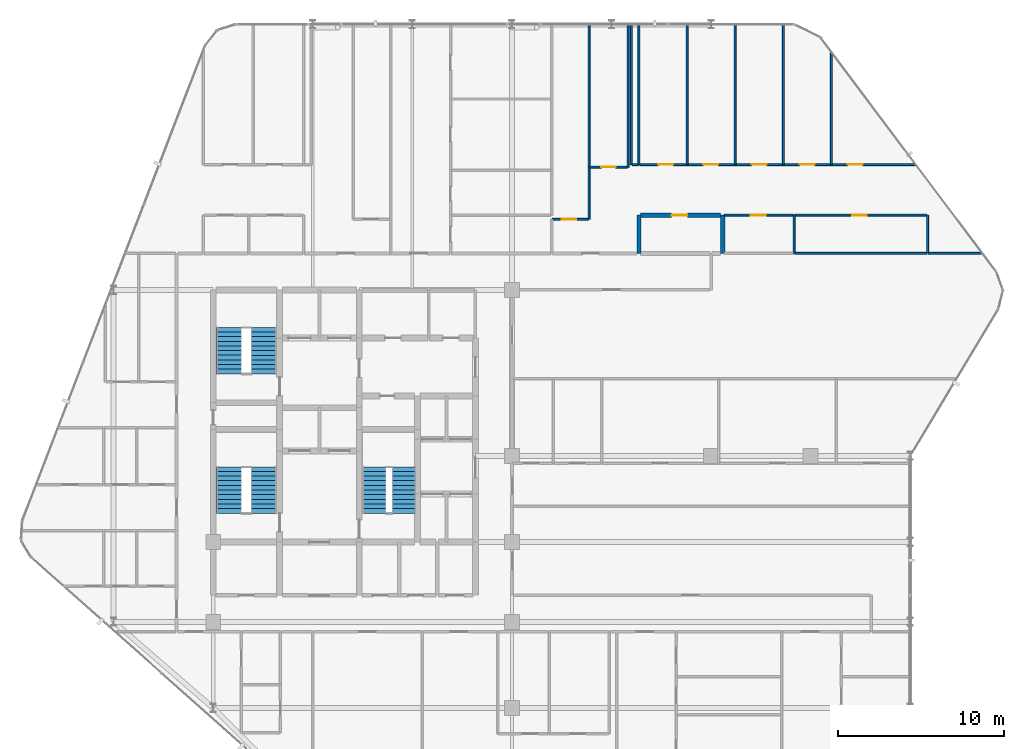
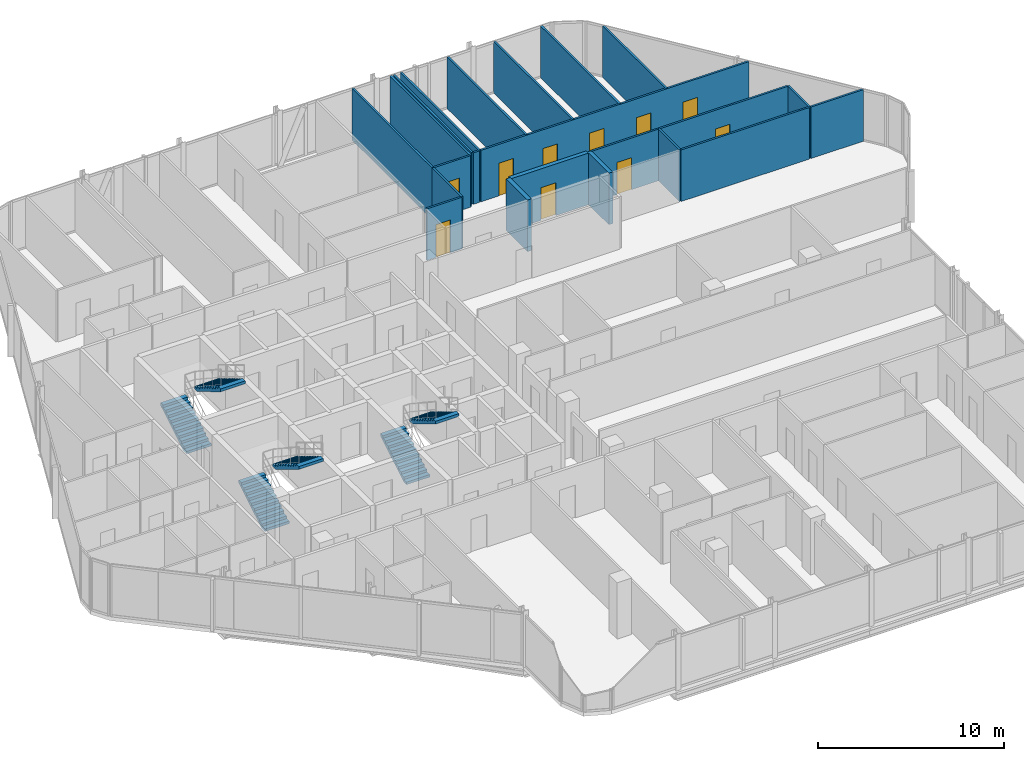
# One storey, part 30 of 31: 22 walls, 10 doors, 6 stair flights, 10 openings, 3 elements without a shape of their own.
"""IFC4 building model written with IfcOpenShell, lengths in metres."""

from ifc_helpers import new_model, si_unit, direction, frame, frame_2d, origin, place, context, subcontext, project, spatial, polyline, rectangle, outline, extrude, material, layer, layer_set, type_object, element, fill, aggregate, save


model = new_model("IFC4")

# Units and contexts
model_context = context("Model", 3, precision=1e-05, world=origin(), true_north=direction((0.0, 1.0)))
body_context = subcontext(model_context, "Body", "Model", "MODEL_VIEW")
ifc_project = project(units=[si_unit("LENGTHUNIT", "METRE"), si_unit("AREAUNIT", "SQUARE_METRE"), si_unit("VOLUMEUNIT", "CUBIC_METRE"), si_unit("PLANEANGLEUNIT", "RADIAN"), si_unit("MASSUNIT", "GRAM", prefix="KILO")], contexts=[model_context])

# Site, building, storey
site_placement = place(None, origin())
site = spatial("IfcSite", under=ifc_project, at=site_placement, CompositionType="ELEMENT")
building_placement = place(site_placement, origin())
building = spatial("IfcBuilding", under=site, at=building_placement, Name="Keshet Zoharim Tower", CompositionType="ELEMENT")
storey_placement = place(building_placement, frame((0.0, 0.0, 133.5)))
storey = spatial("IfcBuildingStorey", under=building, at=storey_placement, Name="L32", CompositionType="ELEMENT", Elevation=133.5)

# Walls
ifc_material_1 = material(Name="Concrete C50/60", Category="concrete")
ifc_layer_1 = layer(ifc_material_1, 0.25)
ifc_layer_set_1 = layer_set([ifc_layer_1], Name="Concrete C50/60")
wall_type_1 = type_object("IfcWallType", Name="WL-MAMAD-250", PredefinedType="STANDARD", material=ifc_layer_set_1)
for number, where, z_axis, x_axis, name in (
    (1, (40.64990234375, 40.10009765625, 0.0), (0.0, 0.0, 1.0), (0.0, 1.0, 0.0), "L32 Interior Wall 086"),
    (2, (45.699951171875, 40.10009765625, 0.0), (0.0, 0.0, 1.0), (0.0, 1.0, 0.0), "L32 Interior Wall 094"),
):
    element("IfcWall", number, at=place(storey_placement, frame(where, z_axis=z_axis, x_axis=x_axis)), inside=storey, type_object=wall_type_1, Name=name, PredefinedType="STANDARD", context=body_context, shape_type="SweptSolid", body=[
        extrude(rectangle(XDim=2.2998046875, YDim=0.25, at=frame_2d((1.14990234375, 0.0))), origin(), (0.0, 0.0, 1.0), 3.385009765625),
    ])

# Wall, opening, door
wall_1_placement = place(storey_placement, frame((40.75, 42.39990234375, 0.0), z_axis=(0.0, 0.0, 1.0), x_axis=(1.0, 0.0, 0.0)))
wall_1 = element("IfcWall", 3, at=wall_1_placement, inside=storey, type_object=wall_type_1, Name="L32 Interior Wall 201", PredefinedType="STANDARD", context=body_context, shape_type="SweptSolid", body=[
    extrude(rectangle(XDim=4.824951171875, YDim=0.25, at=frame_2d((2.41259765625, 0.0))), origin(), (0.0, 0.0, 1.0), 3.385009765625),
])
opening_1_placement = place(wall_1_placement, frame((1.865966796875, 0.0, 0.0)))
opening_1 = element("IfcOpeningElement", 4, at=opening_1_placement, cuts=wall_1, Name="Opening D-F695", PredefinedType="OPENING", context=body_context, shape_type="SweptSolid", body=[
    extrude(rectangle(XDim=0.949951171875, YDim=2.14990234375, at=frame_2d((0.47509765625, 1.074951171875))), frame((0.0, 0.135009765625, 0.0), z_axis=(0.0, -1.0, 0.0), x_axis=(1.0, 0.0, 0.0)), (0.0, 0.0, 1.0), 0.27001953125),
])
ifc_material_2 = material(Name="Hardwood Timber", Category="wood")
door_type_1 = type_object("IfcDoorType", Name="DR-FD60-095", OperationType="NOTDEFINED", PredefinedType="DOOR", material=ifc_material_2)
door_1_placement = place(opening_1_placement, origin())
door_1 = element("IfcDoor", 5, at=door_1_placement, inside=storey, type_object=door_type_1, Name="Apartment 3207 Study and Shelter Room Door", OperationType="SINGLE_SWING_LEFT", OverallHeight=2.14990234375, OverallWidth=0.949951171875, PredefinedType="DOOR", context=body_context, shape_type="SweptSolid", body=[
    extrude(rectangle(XDim=0.949951171875, YDim=2.14990234375, at=frame_2d((0.47509765625, 1.074951171875))), frame((0.0, 0.02490234375, 0.0), z_axis=(0.0, -1.0, 0.0), x_axis=(1.0, 0.0, 0.0)), (0.0, 0.0, 1.0), 0.050048828125),
])
fill(opening_1, door_1)

# Walls
ifc_material_3 = material(Name="Gypsum Plasterboard", Category="gypsum")
ifc_layer_2 = layer(ifc_material_3, 0.1201171875)
ifc_layer_set_2 = layer_set([ifc_layer_2], Name="Gypsum Plasterboard")
wall_type_2 = type_object("IfcWallType", Name="WL-PART-120", PredefinedType="PARTITIONING", material=ifc_layer_set_2)
wall_2_placement = place(storey_placement, frame((37.64990234375, 42.14990234375, 0.0), z_axis=(0.0, 0.0, 1.0), x_axis=(0.0, 1.0, 0.0)))
element("IfcWall", 6, at=wall_2_placement, inside=storey, type_object=wall_type_2, Name="L32 Interior Wall 078", PredefinedType="PARTITIONING", context=body_context, shape_type="SweptSolid", body=[
    extrude(rectangle(XDim=3.150146484375, YDim=0.1201171875, at=frame_2d((1.5751953125, 0.0))), origin(), (0.0, 0.0, 1.0), 3.385009765625),
])
for number, where, z_axis, x_axis, name in (
    (7, (37.64990234375, 45.300048828125, 0.0), (0.0, 0.0, 1.0), (0.0, 1.0, 0.0), "L32 Interior Wall 079"),
    (8, (40.0, 45.300048828125, 0.0), (0.0, 0.0, 1.0), (0.0, 1.0, 0.0), "L32 Interior Wall 084"),
):
    element("IfcWall", number, at=place(storey_placement, frame(where, z_axis=z_axis, x_axis=x_axis)), inside=storey, type_object=wall_type_2, Name=name, PredefinedType="PARTITIONING", context=body_context, shape_type="SweptSolid", body=[
        extrude(rectangle(XDim=8.58984375, YDim=0.1201171875, at=frame_2d((4.294921875, 0.0))), origin(), (0.0, 0.0, 1.0), 3.385009765625),
    ])
for number, where, z_axis, x_axis, name in (
    (9, (40.199951171875, 45.449951171875, 0.0), (0.0, 0.0, 1.0), (0.0, 1.0, 0.0), "L32 Interior Wall 085"),
    (10, (40.64990234375, 45.449951171875, 0.0), (0.0, 0.0, 1.0), (0.0, 1.0, 0.0), "L32 Interior Wall 087"),
    (11, (43.550048828125, 45.449951171875, 0.0), (0.0, 0.0, 1.0), (0.0, 1.0, 0.0), "L32 Interior Wall 091"),
    (12, (46.449951171875, 45.449951171875, 0.0), (0.0, 0.0, 1.0), (0.0, 1.0, 0.0), "L32 Interior Wall 095"),
    (13, (49.35009765625, 45.449951171875, 0.0), (0.0, 0.0, 1.0), (0.0, 1.0, 0.0), "L32 Interior Wall 099"),
):
    element("IfcWall", number, at=place(storey_placement, frame(where, z_axis=z_axis, x_axis=x_axis)), inside=storey, type_object=wall_type_2, Name=name, PredefinedType="PARTITIONING", context=body_context, shape_type="SweptSolid", body=[
        extrude(rectangle(XDim=8.43994140625, YDim=0.1201171875, at=frame_2d((4.219970703125, 0.0))), origin(), (0.0, 0.0, 1.0), 3.385009765625),
    ])
wall_3_placement = place(storey_placement, frame((52.25, 45.449951171875, 0.0), z_axis=(0.0, 0.0, 1.0), x_axis=(0.0, 1.0, 0.0)))
element("IfcWall", 14, at=wall_3_placement, inside=storey, type_object=wall_type_2, Name="L32 Interior Wall 101", PredefinedType="PARTITIONING", context=body_context, shape_type="SweptSolid", body=[
    extrude(rectangle(XDim=6.77294921875, YDim=0.1201171875, at=frame_2d((3.386474609375, 0.0))), origin(), (0.0, 0.0, 1.0), 3.385009765625),
])
wall_4_placement = place(storey_placement, frame((58.050048828125, 40.10009765625, 0.0), z_axis=(0.0, 0.0, 1.0), x_axis=(0.0, 1.0, 0.0)))
element("IfcWall", 15, at=wall_4_placement, inside=storey, type_object=wall_type_2, Name="L32 Interior Wall 107", PredefinedType="PARTITIONING", context=body_context, shape_type="SweptSolid", body=[
    extrude(rectangle(XDim=2.2998046875, YDim=0.1201171875, at=frame_2d((1.14990234375, 0.0))), origin(), (0.0, 0.0, 1.0), 3.385009765625),
])
wall_5_placement = place(storey_placement, frame((50.030029296875, 40.10009765625, 0.0), z_axis=(0.0, 0.0, 1.0), x_axis=(1.0, 0.0, 0.0)))
element("IfcWall", 16, at=wall_5_placement, inside=storey, type_object=wall_type_2, Name="L32 Interior Wall 194", PredefinedType="PARTITIONING", context=body_context, shape_type="SweptSolid", body=[
    extrude(rectangle(XDim=7.962890625, YDim=0.1201171875, at=frame_2d((3.9814453125, 0.0))), origin(), (0.0, 0.0, 1.0), 3.385009765625),
])
wall_6_placement = place(storey_placement, frame((58.0830078125, 40.10009765625, 0.0), z_axis=(0.0, 0.0, 1.0), x_axis=(1.0, 0.0, 0.0)))
element("IfcWall", 17, at=wall_6_placement, inside=storey, type_object=wall_type_2, Name="L32 Interior Wall 195", PredefinedType="PARTITIONING", context=body_context, shape_type="SweptSolid", body=[
    extrude(rectangle(XDim=3.257080078125, YDim=0.1201171875, at=frame_2d((1.62841796875, 0.0))), origin(), (0.0, 0.0, 1.0), 3.385009765625),
])

# Wall, opening, door
wall_7_placement = place(storey_placement, frame((35.43505859375, 42.14990234375, 0.0), z_axis=(0.0, 0.0, 1.0), x_axis=(1.0, 0.0, 0.0)))
wall_7 = element("IfcWall", 18, at=wall_7_placement, inside=storey, type_object=wall_type_2, Name="L32 Interior Wall 197", PredefinedType="PARTITIONING", context=body_context, shape_type="SweptSolid", body=[
    extrude(rectangle(XDim=2.159912109375, YDim=0.1201171875, at=frame_2d((1.080078125, 0.0))), origin(), (0.0, 0.0, 1.0), 3.385009765625),
])
opening_2_placement = place(wall_7_placement, frame((0.552978515625, 0.0, 0.0)))
opening_2 = element("IfcOpeningElement", 19, at=opening_2_placement, cuts=wall_7, Name="Opening D-IN90", PredefinedType="OPENING", context=body_context, shape_type="SweptSolid", body=[
    extrude(rectangle(XDim=0.89990234375, YDim=2.14990234375, at=frame_2d((0.449951171875, 1.074951171875))), frame((0.0, 0.070068359375, 0.0), z_axis=(0.0, -1.0, 0.0), x_axis=(1.0, 0.0, 0.0)), (0.0, 0.0, 1.0), 0.14013671875),
])
door_type_2 = type_object("IfcDoorType", Name="DR-INT-090", OperationType="NOTDEFINED", PredefinedType="DOOR", material=ifc_material_2)
door_2_placement = place(opening_2_placement, origin())
door_2 = element("IfcDoor", 20, at=door_2_placement, inside=storey, type_object=door_type_2, Name="Apartment 3207 Formal Dining Room Door", OperationType="SINGLE_SWING_RIGHT", OverallHeight=2.14990234375, OverallWidth=0.89990234375, PredefinedType="DOOR", context=body_context, shape_type="SweptSolid", body=[
    extrude(rectangle(XDim=0.89990234375, YDim=2.14990234375, at=frame_2d((0.449951171875, 1.074951171875))), frame((0.0, 0.02490234375, 0.0), z_axis=(0.0, -1.0, 0.0), x_axis=(1.0, 0.0, 0.0)), (0.0, 0.0, 1.0), 0.050048828125),
])
fill(opening_2, door_2)

wall_8_placement = place(storey_placement, frame((50.030029296875, 42.39990234375, 0.0), z_axis=(0.0, 0.0, 1.0), x_axis=(1.0, 0.0, 0.0)))
wall_8 = element("IfcWall", 21, at=wall_8_placement, inside=storey, type_object=wall_type_2, Name="L32 Interior Wall 203", PredefinedType="PARTITIONING", context=body_context, shape_type="SweptSolid", body=[
    extrude(rectangle(XDim=7.962890625, YDim=0.1201171875, at=frame_2d((3.9814453125, 0.0))), origin(), (0.0, 0.0, 1.0), 3.385009765625),
])
opening_3_placement = place(wall_8_placement, frame((3.4609375, 0.0, 0.0)))
opening_3 = element("IfcOpeningElement", 22, at=opening_3_placement, cuts=wall_8, Name="Opening D-IN90", PredefinedType="OPENING", context=body_context, shape_type="SweptSolid", body=[
    extrude(rectangle(XDim=0.89990234375, YDim=2.14990234375, at=frame_2d((0.449951171875, 1.074951171875))), frame((0.0, 0.070068359375, 0.0), z_axis=(0.0, -1.0, 0.0), x_axis=(1.0, 0.0, 0.0)), (0.0, 0.0, 1.0), 0.14013671875),
])
door_3_placement = place(opening_3_placement, origin())
door_3 = element("IfcDoor", 23, at=door_3_placement, inside=storey, type_object=door_type_2, Name="Apartment 3207 Kitchen Door", OperationType="SINGLE_SWING_LEFT", OverallHeight=2.14990234375, OverallWidth=0.89990234375, PredefinedType="DOOR", context=body_context, shape_type="SweptSolid", body=[
    extrude(rectangle(XDim=0.89990234375, YDim=2.14990234375, at=frame_2d((0.449951171875, 1.074951171875))), frame((0.0, 0.02490234375, 0.0), z_axis=(0.0, -1.0, 0.0), x_axis=(1.0, 0.0, 0.0)), (0.0, 0.0, 1.0), 0.050048828125),
])
fill(opening_3, door_3)

wall_9_placement = place(storey_placement, frame((37.68505859375, 45.300048828125, 0.0), z_axis=(0.0, 0.0, 1.0), x_axis=(1.0, 0.0, 0.0)))
wall_9 = element("IfcWall", 24, at=wall_9_placement, inside=storey, type_object=wall_type_2, Name="L32 Interior Wall 205", PredefinedType="PARTITIONING", context=body_context, shape_type="SweptSolid", body=[
    extrude(rectangle(XDim=2.260009765625, YDim=0.1201171875, at=frame_2d((1.1298828125, 0.0))), origin(), (0.0, 0.0, 1.0), 3.385009765625),
])
opening_4_placement = place(wall_9_placement, frame((0.679931640625, 0.0, 0.0)))
opening_4 = element("IfcOpeningElement", 25, at=opening_4_placement, cuts=wall_9, Name="Opening D-IN90", PredefinedType="OPENING", context=body_context, shape_type="SweptSolid", body=[
    extrude(rectangle(XDim=0.89990234375, YDim=2.14990234375, at=frame_2d((0.449951171875, 1.074951171875))), frame((0.0, 0.070068359375, 0.0), z_axis=(0.0, -1.0, 0.0), x_axis=(1.0, 0.0, 0.0)), (0.0, 0.0, 1.0), 0.14013671875),
])
door_4_placement = place(opening_4_placement, origin())
door_4 = element("IfcDoor", 26, at=door_4_placement, inside=storey, type_object=door_type_2, Name="Apartment 3207 Home Study Room Door", OperationType="SINGLE_SWING_RIGHT", OverallHeight=2.14990234375, OverallWidth=0.89990234375, PredefinedType="DOOR", context=body_context, shape_type="SweptSolid", body=[
    extrude(rectangle(XDim=0.89990234375, YDim=2.14990234375, at=frame_2d((0.449951171875, 1.074951171875))), frame((0.0, 0.02490234375, 0.0), z_axis=(0.0, -1.0, 0.0), x_axis=(1.0, 0.0, 0.0)), (0.0, 0.0, 1.0), 0.050048828125),
])
fill(opening_4, door_4)

# Wall
wall_10_placement = place(storey_placement, frame((40.235107421875, 45.449951171875, 0.0), z_axis=(0.0, 0.0, 1.0), x_axis=(1.0, 0.0, 0.0)))
element("IfcWall", 27, at=wall_10_placement, inside=storey, type_object=wall_type_2, Name="L32 Interior Wall 208", PredefinedType="PARTITIONING", context=body_context, shape_type="SweptSolid", body=[
    extrude(rectangle(XDim=0.35986328125, YDim=0.1201171875, at=frame_2d((0.179931640625, 0.0))), origin(), (0.0, 0.0, 1.0), 3.385009765625),
])

# Wall, openings, doors
wall_11_placement = place(storey_placement, frame((40.68505859375, 45.449951171875, 0.0), z_axis=(0.0, 0.0, 1.0), x_axis=(1.0, 0.0, 0.0)))
wall_11 = element("IfcWall", 28, at=wall_11_placement, inside=storey, type_object=wall_type_2, Name="L32 Interior Wall 209", PredefinedType="PARTITIONING", context=body_context, shape_type="SweptSolid", body=[
    extrude(rectangle(XDim=16.642822265625, YDim=0.1201171875, at=frame_2d((8.3212890625, 0.0))), origin(), (0.0, 0.0, 1.0), 3.385009765625),
])
opening_5_placement = place(wall_11_placement, frame((1.1298828125, 0.0, 0.0)))
opening_5 = element("IfcOpeningElement", 29, at=opening_5_placement, cuts=wall_11, Name="Opening D-IN90", PredefinedType="OPENING", context=body_context, shape_type="SweptSolid", body=[
    extrude(rectangle(XDim=0.89990234375, YDim=2.14990234375, at=frame_2d((0.449951171875, 1.074951171875))), frame((0.0, 0.070068359375, 0.0), z_axis=(0.0, -1.0, 0.0), x_axis=(1.0, 0.0, 0.0)), (0.0, 0.0, 1.0), 0.14013671875),
])
opening_6_placement = place(wall_11_placement, frame((3.85400390625, 0.0, 0.0)))
opening_6 = element("IfcOpeningElement", 30, at=opening_6_placement, cuts=wall_11, Name="Opening D-IN90", PredefinedType="OPENING", context=body_context, shape_type="SweptSolid", body=[
    extrude(rectangle(XDim=0.89990234375, YDim=2.14990234375, at=frame_2d((0.449951171875, 1.074951171875))), frame((0.0, 0.070068359375, 0.0), z_axis=(0.0, -1.0, 0.0), x_axis=(1.0, 0.0, 0.0)), (0.0, 0.0, 1.0), 0.14013671875),
])
opening_7_placement = place(wall_11_placement, frame((6.75390625, 0.0, 0.0)))
opening_7 = element("IfcOpeningElement", 31, at=opening_7_placement, cuts=wall_11, Name="Opening D-IN90", PredefinedType="OPENING", context=body_context, shape_type="SweptSolid", body=[
    extrude(rectangle(XDim=0.89990234375, YDim=2.14990234375, at=frame_2d((0.449951171875, 1.074951171875))), frame((0.0, 0.070068359375, 0.0), z_axis=(0.0, -1.0, 0.0), x_axis=(1.0, 0.0, 0.0)), (0.0, 0.0, 1.0), 0.14013671875),
])
opening_8_placement = place(wall_11_placement, frame((9.654052734375, 0.0, 0.0)))
opening_8 = element("IfcOpeningElement", 32, at=opening_8_placement, cuts=wall_11, Name="Opening D-IN90", PredefinedType="OPENING", context=body_context, shape_type="SweptSolid", body=[
    extrude(rectangle(XDim=0.89990234375, YDim=2.14990234375, at=frame_2d((0.449951171875, 1.074951171875))), frame((0.0, 0.070068359375, 0.0), z_axis=(0.0, -1.0, 0.0), x_axis=(1.0, 0.0, 0.0)), (0.0, 0.0, 1.0), 0.14013671875),
])
opening_9_placement = place(wall_11_placement, frame((12.552978515625, 0.0, 0.0)))
opening_9 = element("IfcOpeningElement", 33, at=opening_9_placement, cuts=wall_11, Name="Opening D-IN90", PredefinedType="OPENING", context=body_context, shape_type="SweptSolid", body=[
    extrude(rectangle(XDim=0.89990234375, YDim=2.14990234375, at=frame_2d((0.449951171875, 1.074951171875))), frame((0.0, 0.070068359375, 0.0), z_axis=(0.0, -1.0, 0.0), x_axis=(1.0, 0.0, 0.0)), (0.0, 0.0, 1.0), 0.14013671875),
])
door_5_placement = place(opening_5_placement, origin())
door_5 = element("IfcDoor", 34, at=door_5_placement, inside=storey, type_object=door_type_2, Name="Apartment 3207 Bedroom 1 Door", OperationType="SINGLE_SWING_LEFT", OverallHeight=2.14990234375, OverallWidth=0.89990234375, PredefinedType="DOOR", context=body_context, shape_type="SweptSolid", body=[
    extrude(rectangle(XDim=0.89990234375, YDim=2.14990234375, at=frame_2d((0.449951171875, 1.074951171875))), frame((0.0, 0.02490234375, 0.0), z_axis=(0.0, -1.0, 0.0), x_axis=(1.0, 0.0, 0.0)), (0.0, 0.0, 1.0), 0.050048828125),
])
fill(opening_5, door_5)
door_6_placement = place(opening_6_placement, origin())
door_6 = element("IfcDoor", 35, at=door_6_placement, inside=storey, type_object=door_type_2, Name="Apartment 3207 Bedroom 2 Door", OperationType="SINGLE_SWING_RIGHT", OverallHeight=2.14990234375, OverallWidth=0.89990234375, PredefinedType="DOOR", context=body_context, shape_type="SweptSolid", body=[
    extrude(rectangle(XDim=0.89990234375, YDim=2.14990234375, at=frame_2d((0.449951171875, 1.074951171875))), frame((0.0, 0.02490234375, 0.0), z_axis=(0.0, -1.0, 0.0), x_axis=(1.0, 0.0, 0.0)), (0.0, 0.0, 1.0), 0.050048828125),
])
fill(opening_6, door_6)
door_7_placement = place(opening_7_placement, origin())
door_7 = element("IfcDoor", 36, at=door_7_placement, inside=storey, type_object=door_type_2, Name="Apartment 3207 Bedroom 3 Door", OperationType="SINGLE_SWING_LEFT", OverallHeight=2.14990234375, OverallWidth=0.89990234375, PredefinedType="DOOR", context=body_context, shape_type="SweptSolid", body=[
    extrude(rectangle(XDim=0.89990234375, YDim=2.14990234375, at=frame_2d((0.449951171875, 1.074951171875))), frame((0.0, 0.02490234375, 0.0), z_axis=(0.0, -1.0, 0.0), x_axis=(1.0, 0.0, 0.0)), (0.0, 0.0, 1.0), 0.050048828125),
])
fill(opening_7, door_7)
door_8_placement = place(opening_8_placement, origin())
door_8 = element("IfcDoor", 37, at=door_8_placement, inside=storey, type_object=door_type_2, Name="Apartment 3207 Bedroom 4 Door", OperationType="SINGLE_SWING_RIGHT", OverallHeight=2.14990234375, OverallWidth=0.89990234375, PredefinedType="DOOR", context=body_context, shape_type="SweptSolid", body=[
    extrude(rectangle(XDim=0.89990234375, YDim=2.14990234375, at=frame_2d((0.449951171875, 1.074951171875))), frame((0.0, 0.02490234375, 0.0), z_axis=(0.0, -1.0, 0.0), x_axis=(1.0, 0.0, 0.0)), (0.0, 0.0, 1.0), 0.050048828125),
])
fill(opening_8, door_8)
door_9_placement = place(opening_9_placement, origin())
door_9 = element("IfcDoor", 38, at=door_9_placement, inside=storey, type_object=door_type_2, Name="Apartment 3207 Bedroom 5 Door", OperationType="SINGLE_SWING_LEFT", OverallHeight=2.14990234375, OverallWidth=0.89990234375, PredefinedType="DOOR", context=body_context, shape_type="SweptSolid", body=[
    extrude(rectangle(XDim=0.89990234375, YDim=2.14990234375, at=frame_2d((0.449951171875, 1.074951171875))), frame((0.0, 0.02490234375, 0.0), z_axis=(0.0, -1.0, 0.0), x_axis=(1.0, 0.0, 0.0)), (0.0, 0.0, 1.0), 0.050048828125),
])
fill(opening_9, door_9)

# Wall
ifc_layer_3 = layer(ifc_material_3, 0.1201171875)
ifc_layer_set_3 = layer_set([ifc_layer_3], Name="Gypsum Plasterboard")
wall_type_3 = type_object("IfcWallType", Name="WL-WET-120", PredefinedType="PARTITIONING", material=ifc_layer_set_3)
wall_12_placement = place(storey_placement, frame((50.0, 40.10009765625, 0.0), z_axis=(0.0, 0.0, 1.0), x_axis=(0.0, 1.0, 0.0)))
element("IfcWall", 39, at=wall_12_placement, inside=storey, type_object=wall_type_3, Name="L32 Interior Wall 100", PredefinedType="PARTITIONING", context=body_context, shape_type="SweptSolid", body=[
    extrude(rectangle(XDim=2.2998046875, YDim=0.1201171875, at=frame_2d((1.14990234375, 0.0))), origin(), (0.0, 0.0, 1.0), 3.385009765625),
])

# Wall, opening, door
wall_13_placement = place(storey_placement, frame((45.794921875, 42.39990234375, 0.0), z_axis=(0.0, 0.0, 1.0), x_axis=(1.0, 0.0, 0.0)))
wall_13 = element("IfcWall", 40, at=wall_13_placement, inside=storey, type_object=wall_type_3, Name="L32 Interior Wall 202", PredefinedType="PARTITIONING", context=body_context, shape_type="SweptSolid", body=[
    extrude(rectangle(XDim=4.14501953125, YDim=0.1201171875, at=frame_2d((2.072509765625, 0.0))), origin(), (0.0, 0.0, 1.0), 3.385009765625),
])
opening_10_placement = place(wall_13_placement, frame((1.590087890625, 0.0, 0.0)))
opening_10 = element("IfcOpeningElement", 41, at=opening_10_placement, cuts=wall_13, Name="Opening D-WT90", PredefinedType="OPENING", context=body_context, shape_type="SweptSolid", body=[
    extrude(rectangle(XDim=0.89990234375, YDim=2.10009765625, at=frame_2d((0.449951171875, 1.050048828125))), frame((0.0, 0.070068359375, 0.0), z_axis=(0.0, -1.0, 0.0), x_axis=(1.0, 0.0, 0.0)), (0.0, 0.0, 1.0), 0.14013671875),
])
door_type_3 = type_object("IfcDoorType", Name="DR-WET-090", OperationType="NOTDEFINED", PredefinedType="DOOR", material=ifc_material_2)
door_10_placement = place(opening_10_placement, origin())
door_10 = element("IfcDoor", 42, at=door_10_placement, inside=storey, type_object=door_type_3, Name="Apartment 3207 Bathroom Door", OperationType="SINGLE_SWING_RIGHT", OverallHeight=2.10009765625, OverallWidth=0.89990234375, PredefinedType="DOOR", context=body_context, shape_type="SweptSolid", body=[
    extrude(rectangle(XDim=0.89990234375, YDim=2.10009765625, at=frame_2d((0.449951171875, 1.050048828125))), frame((0.0, 0.02490234375, 0.0), z_axis=(0.0, -1.0, 0.0), x_axis=(1.0, 0.0, 0.0)), (0.0, 0.0, 1.0), 0.050048828125),
])
fill(opening_10, door_10)

# Stair, stair flights
stair_type = type_object("IfcStairType", Name="STR-EXIT-135", PredefinedType="HALF_TURN_STAIR", material=ifc_material_1)
stair_1_placement = place(storey_placement, origin())
stair_1 = element("IfcStair", 43, at=stair_1_placement, inside=storey, type_object=stair_type, Name="L32 Enclosed Exit Stair ST-01", PredefinedType="HALF_TURN_STAIR")
stair_flight_type_1 = type_object("IfcStairFlightType", Name="FLT-PRE-135", PredefinedType="STRAIGHT", material=ifc_material_1)
stair_flight_1_placement = place(storey_placement, frame((15.945068359375, 24.43994140625, 0.0), z_axis=(0.0, 0.0, 1.0), x_axis=(0.0, 1.0, 0.0)))
stair_flight_1 = element("IfcStairFlight", 44, at=stair_flight_1_placement, type_object=stair_flight_type_1, Name="ST-01 flight 1", NumberOfRisers=11, NumberOfTreads=10, PredefinedType="STRAIGHT", RiserHeight=0.168182, TreadLength=0.28, context=body_context, shape_type="SweptSolid", body=[
    extrude(outline(polyline([(0.0, 0.0), (0.0, 0.168212890625), (0.280029296875, 0.168212890625), (0.280029296875, 0.33642578125), (0.56005859375, 0.33642578125), (0.56005859375, 0.504638671875), (0.840087890625, 0.504638671875), (0.840087890625, 0.672607421875), (1.1201171875, 0.672607421875), (1.1201171875, 0.8408203125), (1.39990234375, 0.8408203125), (1.39990234375, 1.009033203125), (1.679931640625, 1.009033203125), (1.679931640625, 1.17724609375), (1.9599609375, 1.17724609375), (1.9599609375, 1.345458984375), (2.239990234375, 1.345458984375), (2.239990234375, 1.513671875), (2.52001953125, 1.513671875), (2.52001953125, 1.681884765625), (2.800048828125, 1.681884765625), (2.800048828125, 1.85009765625), (2.800048828125, 1.495361328125), (0.310546875, 0.0), (0.0, 0.0)])), frame((0.0, 0.76513671875, 0.0), z_axis=(0.0, -1.0, 0.0), x_axis=(1.0, 0.0, 0.0)), (0.0, 0.0, 1.0), 1.530029296875),
])
stair_flight_2_placement = place(storey_placement, frame((18.054931640625, 27.239990234375, 1.85009765625), z_axis=(0.0, 0.0, 1.0), x_axis=(0.0, -1.0, 0.0)))
stair_flight_2 = element("IfcStairFlight", 45, at=stair_flight_2_placement, type_object=stair_flight_type_1, Name="ST-01 flight 2", NumberOfRisers=11, NumberOfTreads=10, PredefinedType="STRAIGHT", RiserHeight=0.168182, TreadLength=0.28, context=body_context, shape_type="SweptSolid", body=[
    extrude(outline(polyline([(0.0, 0.0), (0.0, 0.168212890625), (0.280029296875, 0.168212890625), (0.280029296875, 0.33642578125), (0.56005859375, 0.33642578125), (0.56005859375, 0.504638671875), (0.840087890625, 0.504638671875), (0.840087890625, 0.672607421875), (1.1201171875, 0.672607421875), (1.1201171875, 0.8408203125), (1.39990234375, 0.8408203125), (1.39990234375, 1.009033203125), (1.679931640625, 1.009033203125), (1.679931640625, 1.17724609375), (1.9599609375, 1.17724609375), (1.9599609375, 1.345458984375), (2.239990234375, 1.345458984375), (2.239990234375, 1.513671875), (2.52001953125, 1.513671875), (2.52001953125, 1.681884765625), (2.800048828125, 1.681884765625), (2.800048828125, 1.85009765625), (2.800048828125, 1.495361328125), (0.310546875, 0.0), (0.0, 0.0)])), frame((0.0, 0.76513671875, 0.0), z_axis=(0.0, -1.0, 0.0), x_axis=(1.0, 0.0, 0.0)), (0.0, 0.0, 1.0), 1.530029296875),
])
aggregate(stair_1, [stair_flight_1, stair_flight_2])

stair_2_placement = place(storey_placement, origin())
stair_2 = element("IfcStair", 46, at=stair_2_placement, inside=storey, type_object=stair_type, Name="L32 Enclosed Exit Stair ST-02", PredefinedType="HALF_TURN_STAIR")
stair_flight_3_placement = place(storey_placement, frame((15.945068359375, 32.840087890625, 0.0), z_axis=(0.0, 0.0, 1.0), x_axis=(0.0, 1.0, 0.0)))
stair_flight_3 = element("IfcStairFlight", 47, at=stair_flight_3_placement, type_object=stair_flight_type_1, Name="ST-02 flight 1", NumberOfRisers=11, NumberOfTreads=10, PredefinedType="STRAIGHT", RiserHeight=0.168182, TreadLength=0.28, context=body_context, shape_type="SweptSolid", body=[
    extrude(outline(polyline([(0.0, 0.0), (0.0, 0.168212890625), (0.280029296875, 0.168212890625), (0.280029296875, 0.33642578125), (0.56005859375, 0.33642578125), (0.56005859375, 0.504638671875), (0.840087890625, 0.504638671875), (0.840087890625, 0.672607421875), (1.1201171875, 0.672607421875), (1.1201171875, 0.8408203125), (1.39990234375, 0.8408203125), (1.39990234375, 1.009033203125), (1.679931640625, 1.009033203125), (1.679931640625, 1.17724609375), (1.9599609375, 1.17724609375), (1.9599609375, 1.345458984375), (2.239990234375, 1.345458984375), (2.239990234375, 1.513671875), (2.52001953125, 1.513671875), (2.52001953125, 1.681884765625), (2.800048828125, 1.681884765625), (2.800048828125, 1.85009765625), (2.800048828125, 1.495361328125), (0.310546875, 0.0), (0.0, 0.0)])), frame((0.0, 0.76513671875, 0.0), z_axis=(0.0, -1.0, 0.0), x_axis=(1.0, 0.0, 0.0)), (0.0, 0.0, 1.0), 1.530029296875),
])
stair_flight_4_placement = place(storey_placement, frame((18.054931640625, 35.639892578125, 1.85009765625), z_axis=(0.0, 0.0, 1.0), x_axis=(0.0, -1.0, 0.0)))
stair_flight_4 = element("IfcStairFlight", 48, at=stair_flight_4_placement, type_object=stair_flight_type_1, Name="ST-02 flight 2", NumberOfRisers=11, NumberOfTreads=10, PredefinedType="STRAIGHT", RiserHeight=0.168182, TreadLength=0.28, context=body_context, shape_type="SweptSolid", body=[
    extrude(outline(polyline([(0.0, 0.0), (0.0, 0.168212890625), (0.280029296875, 0.168212890625), (0.280029296875, 0.33642578125), (0.56005859375, 0.33642578125), (0.56005859375, 0.504638671875), (0.840087890625, 0.504638671875), (0.840087890625, 0.672607421875), (1.1201171875, 0.672607421875), (1.1201171875, 0.8408203125), (1.39990234375, 0.8408203125), (1.39990234375, 1.009033203125), (1.679931640625, 1.009033203125), (1.679931640625, 1.17724609375), (1.9599609375, 1.17724609375), (1.9599609375, 1.345458984375), (2.239990234375, 1.345458984375), (2.239990234375, 1.513671875), (2.52001953125, 1.513671875), (2.52001953125, 1.681884765625), (2.800048828125, 1.681884765625), (2.800048828125, 1.85009765625), (2.800048828125, 1.495361328125), (0.310546875, 0.0), (0.0, 0.0)])), frame((0.0, 0.76513671875, 0.0), z_axis=(0.0, -1.0, 0.0), x_axis=(1.0, 0.0, 0.0)), (0.0, 0.0, 1.0), 1.530029296875),
])
aggregate(stair_2, [stair_flight_3, stair_flight_4])

stair_3_placement = place(storey_placement, origin())
stair_3 = element("IfcStair", 49, at=stair_3_placement, inside=storey, type_object=stair_type, Name="L32 Enclosed Exit Stair ST-03", PredefinedType="HALF_TURN_STAIR")
stair_flight_type_2 = type_object("IfcStairFlightType", Name="FLT-PRE-144", PredefinedType="STRAIGHT", material=ifc_material_1)
stair_flight_5_placement = place(storey_placement, frame((24.699951171875, 24.43994140625, 0.0), z_axis=(0.0, 0.0, 1.0), x_axis=(0.0, 1.0, 0.0)))
stair_flight_5 = element("IfcStairFlight", 50, at=stair_flight_5_placement, type_object=stair_flight_type_2, Name="ST-03 flight 1", NumberOfRisers=11, NumberOfTreads=10, PredefinedType="STRAIGHT", RiserHeight=0.168182, TreadLength=0.28, context=body_context, shape_type="SweptSolid", body=[
    extrude(outline(polyline([(0.0, 0.0), (0.0, 0.168212890625), (0.280029296875, 0.168212890625), (0.280029296875, 0.33642578125), (0.56005859375, 0.33642578125), (0.56005859375, 0.504638671875), (0.840087890625, 0.504638671875), (0.840087890625, 0.672607421875), (1.1201171875, 0.672607421875), (1.1201171875, 0.8408203125), (1.39990234375, 0.8408203125), (1.39990234375, 1.009033203125), (1.679931640625, 1.009033203125), (1.679931640625, 1.17724609375), (1.9599609375, 1.17724609375), (1.9599609375, 1.345458984375), (2.239990234375, 1.345458984375), (2.239990234375, 1.513671875), (2.52001953125, 1.513671875), (2.52001953125, 1.681884765625), (2.800048828125, 1.681884765625), (2.800048828125, 1.85009765625), (2.800048828125, 1.495361328125), (0.310546875, 0.0), (0.0, 0.0)])), frame((0.0, 0.719970703125, 0.0), z_axis=(0.0, -1.0, 0.0), x_axis=(1.0, 0.0, 0.0)), (0.0, 0.0, 1.0), 1.43994140625),
])
stair_flight_6_placement = place(storey_placement, frame((26.5, 27.239990234375, 1.85009765625), z_axis=(0.0, 0.0, 1.0), x_axis=(0.0, -1.0, 0.0)))
stair_flight_6 = element("IfcStairFlight", 51, at=stair_flight_6_placement, type_object=stair_flight_type_2, Name="ST-03 flight 2", NumberOfRisers=11, NumberOfTreads=10, PredefinedType="STRAIGHT", RiserHeight=0.168182, TreadLength=0.28, context=body_context, shape_type="SweptSolid", body=[
    extrude(outline(polyline([(0.0, 0.0), (0.0, 0.168212890625), (0.280029296875, 0.168212890625), (0.280029296875, 0.33642578125), (0.56005859375, 0.33642578125), (0.56005859375, 0.504638671875), (0.840087890625, 0.504638671875), (0.840087890625, 0.672607421875), (1.1201171875, 0.672607421875), (1.1201171875, 0.8408203125), (1.39990234375, 0.8408203125), (1.39990234375, 1.009033203125), (1.679931640625, 1.009033203125), (1.679931640625, 1.17724609375), (1.9599609375, 1.17724609375), (1.9599609375, 1.345458984375), (2.239990234375, 1.345458984375), (2.239990234375, 1.513671875), (2.52001953125, 1.513671875), (2.52001953125, 1.681884765625), (2.800048828125, 1.681884765625), (2.800048828125, 1.85009765625), (2.800048828125, 1.495361328125), (0.310546875, 0.0), (0.0, 0.0)])), frame((0.0, 0.719970703125, 0.0), z_axis=(0.0, -1.0, 0.0), x_axis=(1.0, 0.0, 0.0)), (0.0, 0.0, 1.0), 1.43994140625),
])
aggregate(stair_3, [stair_flight_5, stair_flight_6])

save(model, "model.ifc")
